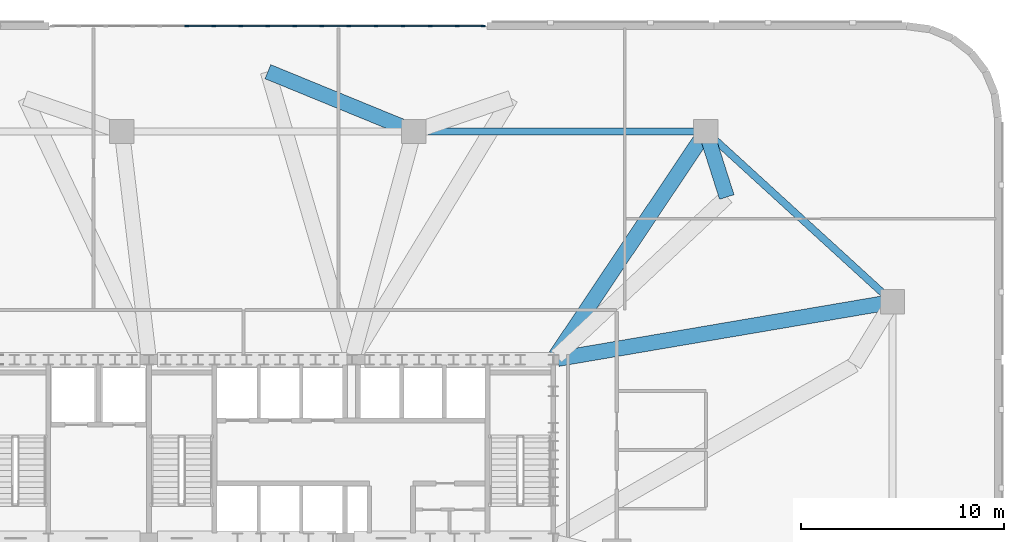
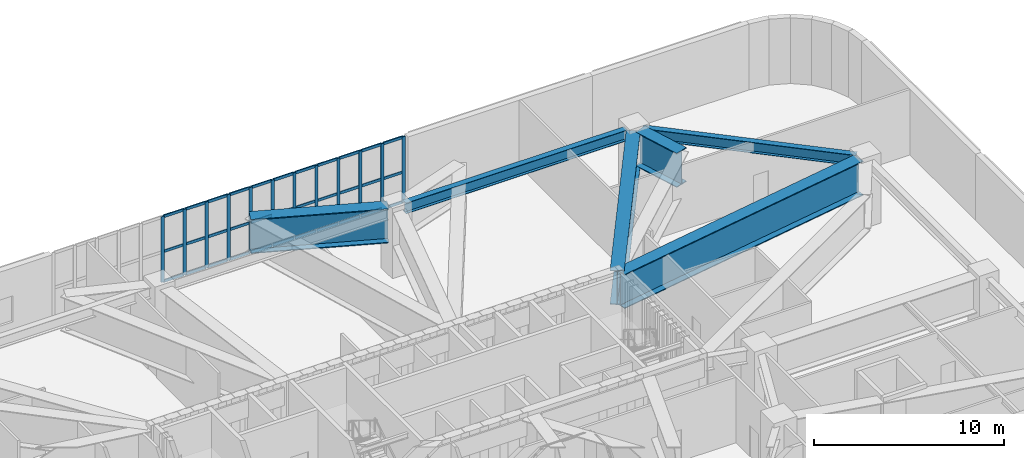
# One storey, part 11 of 26: 45 members, 6 beams, 1 element without a shape of its own.
"""IFC4 building model written with IfcOpenShell, lengths in metres."""

import ifcopenshell
import ifcopenshell.guid

model = None  # the IFC model being written
_history = None  # IfcOwnerHistory: only IFC2X3 demands one
_inside = {}  # id of a spatial element -> (the spatial element, [elements in it])
_under = {}  # id of a project, library or spatial element -> (it, [spatial elements below it])
_declared = {}  # id of a project -> (the project, [libraries it declares])
_typed = {}  # id of a type object -> (the type object, [elements of that type])
_made_of = {}  # id of a material, layer set ... -> (it, [elements and type objects made of it])


def new_model(schema):
    """Start an empty IFC model of exactly this schema.

    Asked for "IFC4X3", IfcOpenShell would pick the latest addendum, in which some entities
    have other attributes; the version numbers below select the first issue.
    IFC2X3 requires an IfcOwnerHistory on every rooted entity: one is made here for all.
    """
    global model, _history
    if schema == "IFC4X3":
        model = ifcopenshell.file(schema_version=(4, 3, 0, 0))
    else:
        model = ifcopenshell.file(schema=schema)
    _inside.clear()
    _under.clear()
    _declared.clear()
    _typed.clear()
    _made_of.clear()
    _history = None
    if model.schema == "IFC2X3":
        org = make("IfcOrganization", Name="unknown")
        user = make(
            "IfcPersonAndOrganization",
            ThePerson=make("IfcPerson", FamilyName="unknown"),
            TheOrganization=org,
        )
        app = make(
            "IfcApplication",
            ApplicationDeveloper=org,
            Version="unknown",
            ApplicationFullName="unknown",
            ApplicationIdentifier="unknown",
        )
        _history = make(
            "IfcOwnerHistory",
            OwningUser=user,
            OwningApplication=app,
            ChangeAction="ADDED",
            CreationDate=0,
        )
    return model


def make(cls, **values):
    """One entity of the class cls with the attributes given. An attribute that is None is left unset."""
    return model.create_entity(
        cls, **{name: value for name, value in values.items() if value is not None}
    )


def rooted(cls, **values):
    """An entity with a GlobalId (a new one), such as an element, a storey or a relation."""
    return make(cls, GlobalId=ifcopenshell.guid.new(), OwnerHistory=_history, **values)


def si_unit(unit_type, name, prefix=None):
    """IfcSIUnit, for example si_unit("LENGTHUNIT", "METRE", prefix="MILLI")."""
    return make("IfcSIUnit", UnitType=unit_type, Prefix=prefix, Name=name)


def assignment(units):
    """IfcUnitAssignment: the units of a project."""
    return None if units is None else make("IfcUnitAssignment", Units=units)


def point(xyz):
    """IfcCartesianPoint."""
    return None if xyz is None else make("IfcCartesianPoint", Coordinates=xyz)


def direction(xyz):
    """IfcDirection."""
    return None if xyz is None else make("IfcDirection", DirectionRatios=xyz)


def frame(location, z_axis=None, x_axis=None):
    """IfcAxis2Placement3D, a coordinate frame: its origin and axes. An axis left out is left unset."""
    return make(
        "IfcAxis2Placement3D",
        Location=point(location),
        Axis=direction(z_axis),
        RefDirection=direction(x_axis),
    )


def frame_2d(location, x_axis=None):
    """IfcAxis2Placement2D, a coordinate frame in the plane: its origin and x axis."""
    return make(
        "IfcAxis2Placement2D", Location=point(location), RefDirection=direction(x_axis)
    )


def origin():
    """The frame at (0, 0, 0) with its axes left unset."""
    return frame((0.0, 0.0, 0.0))


def origin_2d():
    """The frame at (0, 0) in the plane with its x axis left unset."""
    return frame_2d((0.0, 0.0))


def place(relative_to, where):
    """IfcLocalPlacement: puts the frame where relative to a parent placement (None: the world)."""
    return make(
        "IfcLocalPlacement", PlacementRelTo=relative_to, RelativePlacement=where
    )


def context(
    kind, dimensions, precision=None, world=None, true_north=None, identifier=None
):
    """IfcGeometricRepresentationContext, for example the 3D "Model" context."""
    return make(
        "IfcGeometricRepresentationContext",
        ContextIdentifier=identifier,
        ContextType=kind,
        CoordinateSpaceDimension=dimensions,
        Precision=precision,
        WorldCoordinateSystem=world,
        TrueNorth=true_north,
    )


def subcontext(parent, identifier, kind, view, scale=None):
    """IfcGeometricRepresentationSubContext, for example "Body" below "Model"."""
    return make(
        "IfcGeometricRepresentationSubContext",
        ContextIdentifier=identifier,
        ContextType=kind,
        ParentContext=parent,
        TargetScale=scale,
        TargetView=view,
    )


def project(units=None, contexts=None):
    """IfcProject with its units and contexts."""
    return rooted(
        "IfcProject",
        Name="project",
        RepresentationContexts=contexts,
        UnitsInContext=assignment(units),
    )


def spatial(cls, under=None, at=None, **own):
    """A site, building, storey or space (cls), placed at a placement, below another one or the project."""
    s = rooted(cls, ObjectPlacement=at, **own)
    if under is not None:
        _under.setdefault(under.id(), (under, []))[1].append(s)
    return s


def profile(cls, at=None, kind="AREA", **sizes):
    """A parametric profile (cls). Its sizes go by their IFC names, for example OverallWidth=200.0."""
    return make(cls, ProfileType=kind, Position=at, **sizes)


def rectangle(**sizes):
    """IfcRectangleProfileDef."""
    return profile("IfcRectangleProfileDef", **sizes)


def i_section(**sizes):
    """IfcIShapeProfileDef."""
    return profile("IfcIShapeProfileDef", **sizes)


def extrude(swept, where, along, depth):
    """IfcExtrudedAreaSolid: the profile swept, set in the frame where, extruded along a direction by depth."""
    return make(
        "IfcExtrudedAreaSolid",
        SweptArea=swept,
        Position=where,
        ExtrudedDirection=direction(along),
        Depth=depth,
    )


def shape(context_of_items, identifier, shape_type, items):
    """IfcShapeRepresentation: the items that make up one representation, for example the "Body"."""
    return make(
        "IfcShapeRepresentation",
        ContextOfItems=context_of_items,
        RepresentationIdentifier=identifier,
        RepresentationType=shape_type,
        Items=items,
    )


def material(Name=None, Category=None):
    """IfcMaterial."""
    return make("IfcMaterial", Name=Name, Category=Category)


def material_profile(
    of_material, cross_section, Name=None, Category=None, Priority=None
):
    """IfcMaterialProfile: a cross section and its material."""
    return make(
        "IfcMaterialProfile",
        Name=Name,
        Material=of_material,
        Profile=cross_section,
        Priority=Priority,
        Category=Category,
    )


def profile_set(profiles, Name=None, composite=None):
    """IfcMaterialProfileSet."""
    return make(
        "IfcMaterialProfileSet",
        Name=Name,
        MaterialProfiles=profiles,
        CompositeProfile=composite,
    )


def made_of(thing, what):
    """Note that an element or type object is made of a material, layer set ...; save() writes the relation."""
    if what is not None:
        _made_of.setdefault(what.id(), (what, []))[1].append(thing)
    return thing


def type_object(cls, material=None, **own):
    """A type object (cls), such as IfcWallType, which elements share."""
    return made_of(rooted(cls, **own), material)


def element(
    cls,
    number,
    at=None,
    inside=None,
    cuts=None,
    type_object=None,
    material=None,
    context=None,
    identifier="Body",
    shape_type=None,
    held_by="IfcProductDefinitionShape",
    body=None,
    shapes=None,
    **own,
):
    """One element of the class cls, such as IfcWall. Its Tag is "e" and its number.

    at: its placement. inside: the storey or other place that contains it. cuts: it is an
    opening in that element (IfcRelVoidsElement). A single representation is given by context,
    identifier, shape_type and body (its items); several are given by shapes. held_by: the class
    of the entity that holds the representations. save() writes the other relations.
    """
    e = rooted(cls, Tag="e%d" % number, ObjectPlacement=at, **own)
    if body is not None:
        shapes = [shape(context, identifier, shape_type, body)]
    if shapes is not None:
        e.Representation = make(held_by, Representations=shapes)
    if inside is not None:
        _inside.setdefault(inside.id(), (inside, []))[1].append(e)
    if cuts is not None:
        rooted(
            "IfcRelVoidsElement", RelatingBuildingElement=cuts, RelatedOpeningElement=e
        )
    if type_object is not None:
        _typed.setdefault(type_object.id(), (type_object, []))[1].append(e)
    return made_of(e, material)


def aggregate(whole, parts):
    """IfcRelAggregates: a whole, such as a stair, and the parts it consists of."""
    return rooted("IfcRelAggregates", RelatingObject=whole, RelatedObjects=parts)


def save(model, path):
    """Write the relations noted so far, then the file.

    IfcRelAggregates (storeys below a building ...), IfcRelContainedInSpatialStructure (elements
    in a storey), IfcRelDefinesByType, IfcRelAssociatesMaterial and IfcRelDeclares: one each for
    every whole, place, type object, material and project.
    """
    for whole, parts in _under.values():
        aggregate(whole, parts)
    for where, things in _inside.values():
        rooted(
            "IfcRelContainedInSpatialStructure",
            RelatedElements=things,
            RelatingStructure=where,
        )
    for kind, things in _typed.values():
        rooted("IfcRelDefinesByType", RelatedObjects=things, RelatingType=kind)
    for what, things in _made_of.values():
        rooted("IfcRelAssociatesMaterial", RelatedObjects=things, RelatingMaterial=what)
    for by, libraries in _declared.values():
        rooted("IfcRelDeclares", RelatingContext=by, RelatedDefinitions=libraries)
    model.write(path)


model = new_model("IFC4")

# Units and contexts
model_context = context("Model", 3, precision=1e-05, world=origin(), true_north=direction((0.0, 1.0)))
body_context = subcontext(model_context, "Body", "Model", "MODEL_VIEW")
ifc_project = project(units=[si_unit("LENGTHUNIT", "METRE"), si_unit("AREAUNIT", "SQUARE_METRE"), si_unit("VOLUMEUNIT", "CUBIC_METRE"), si_unit("PLANEANGLEUNIT", "RADIAN"), si_unit("MASSUNIT", "GRAM", prefix="KILO")], contexts=[model_context])

# Site, building, storey
site_placement = place(None, origin())
site = spatial("IfcSite", under=ifc_project, at=site_placement, CompositionType="ELEMENT")
building_placement = place(site_placement, origin())
building = spatial("IfcBuilding", under=site, at=building_placement, Name="Haldorwick Loom Tower", CompositionType="ELEMENT")
storey_placement = place(building_placement, frame((0.0, 0.0, 19.5)))
storey = spatial("IfcBuildingStorey", under=building, at=storey_placement, Name="L04", CompositionType="ELEMENT", Elevation=19.5)

# Curtain wall, members
ifc_material_1 = material(Name="Thermally Broken Anodized Aluminium Curtain Wall Framing", Category="aluminium")
curtain_wall_type = type_object("IfcCurtainWallType", Name="ARC-CW-02", PredefinedType="NOTDEFINED", material=ifc_material_1)
curtain_wall_placement = place(storey_placement, origin())
curtain_wall = element("IfcCurtainWall", 1, at=curtain_wall_placement, inside=storey, type_object=curtain_wall_type, Name="L04 Facade Curtain Wall CW-02 Bay 19", PredefinedType="NOTDEFINED")
ifc_material_profile_1 = material_profile(ifc_material_1, rectangle(XDim=0.070068359375, YDim=0.195068359375, at=origin_2d()), Name="ALU_MUL_70X195", Category="aluminium")
ifc_profile_set_1 = profile_set([ifc_material_profile_1], Name="Thermally Broken Anodized Aluminium Curtain Wall Framing")
member_type_1 = type_object("IfcMemberType", Name="ARC-CWM-02", PredefinedType="MULLION", material=ifc_profile_set_1)
member_1_placement = place(storey_placement, frame((46.625, 52.0, 0.0), z_axis=(0.0, 0.0, 1.0), x_axis=(0.0, -1.0, 0.0)))
member_1 = element("IfcMember", 2, at=member_1_placement, type_object=member_type_1, Name="CW-02 mullion 1", PredefinedType="MULLION", context=body_context, shape_type="SweptSolid", body=[
    extrude(rectangle(XDim=0.070068359375, YDim=0.195068359375, at=origin_2d()), origin(), (0.0, 0.0, 1.0), 4.219970703125),
])
member_2_placement = place(storey_placement, frame((45.327392578125, 52.0, 0.0), z_axis=(0.0, 0.0, 1.0), x_axis=(0.0, -1.0, 0.0)))
member_2 = element("IfcMember", 3, at=member_2_placement, type_object=member_type_1, Name="CW-02 mullion 2", PredefinedType="MULLION", context=body_context, shape_type="SweptSolid", body=[
    extrude(rectangle(XDim=0.070068359375, YDim=0.195068359375, at=origin_2d()), origin(), (0.0, 0.0, 1.0), 4.219970703125),
])
member_3_placement = place(storey_placement, frame((43.9951171875, 52.0, 0.0), z_axis=(0.0, 0.0, 1.0), x_axis=(0.0, -1.0, 0.0)))
member_3 = element("IfcMember", 4, at=member_3_placement, type_object=member_type_1, Name="CW-02 mullion 3", PredefinedType="MULLION", context=body_context, shape_type="SweptSolid", body=[
    extrude(rectangle(XDim=0.070068359375, YDim=0.195068359375, at=origin_2d()), origin(), (0.0, 0.0, 1.0), 4.219970703125),
])
member_4_placement = place(storey_placement, frame((42.66259765625, 52.0, 0.0), z_axis=(0.0, 0.0, 1.0), x_axis=(0.0, -1.0, 0.0)))
member_4 = element("IfcMember", 5, at=member_4_placement, type_object=member_type_1, Name="CW-02 mullion 4", PredefinedType="MULLION", context=body_context, shape_type="SweptSolid", body=[
    extrude(rectangle(XDim=0.070068359375, YDim=0.195068359375, at=origin_2d()), origin(), (0.0, 0.0, 1.0), 4.219970703125),
])
member_5_placement = place(storey_placement, frame((41.330078125, 52.0, 0.0), z_axis=(0.0, 0.0, 1.0), x_axis=(0.0, -1.0, 0.0)))
member_5 = element("IfcMember", 6, at=member_5_placement, type_object=member_type_1, Name="CW-02 mullion 5", PredefinedType="MULLION", context=body_context, shape_type="SweptSolid", body=[
    extrude(rectangle(XDim=0.070068359375, YDim=0.195068359375, at=origin_2d()), origin(), (0.0, 0.0, 1.0), 4.219970703125),
])
member_6_placement = place(storey_placement, frame((39.99755859375, 52.0, 0.0), z_axis=(0.0, 0.0, 1.0), x_axis=(0.0, -1.0, 0.0)))
member_6 = element("IfcMember", 7, at=member_6_placement, type_object=member_type_1, Name="CW-02 mullion 6", PredefinedType="MULLION", context=body_context, shape_type="SweptSolid", body=[
    extrude(rectangle(XDim=0.070068359375, YDim=0.195068359375, at=origin_2d()), origin(), (0.0, 0.0, 1.0), 4.219970703125),
])
member_7_placement = place(storey_placement, frame((38.6650390625, 52.0, 0.0), z_axis=(0.0, 0.0, 1.0), x_axis=(0.0, -1.0, 0.0)))
member_7 = element("IfcMember", 8, at=member_7_placement, type_object=member_type_1, Name="CW-02 mullion 7", PredefinedType="MULLION", context=body_context, shape_type="SweptSolid", body=[
    extrude(rectangle(XDim=0.070068359375, YDim=0.195068359375, at=origin_2d()), origin(), (0.0, 0.0, 1.0), 4.219970703125),
])
member_8_placement = place(storey_placement, frame((37.33251953125, 52.0, 0.0), z_axis=(0.0, 0.0, 1.0), x_axis=(0.0, -1.0, 0.0)))
member_8 = element("IfcMember", 9, at=member_8_placement, type_object=member_type_1, Name="CW-02 mullion 8", PredefinedType="MULLION", context=body_context, shape_type="SweptSolid", body=[
    extrude(rectangle(XDim=0.070068359375, YDim=0.195068359375, at=origin_2d()), origin(), (0.0, 0.0, 1.0), 4.219970703125),
])
member_9_placement = place(storey_placement, frame((36.0, 52.0, 0.0), z_axis=(0.0, 0.0, 1.0), x_axis=(0.0, -1.0, 0.0)))
member_9 = element("IfcMember", 10, at=member_9_placement, type_object=member_type_1, Name="CW-02 mullion 9", PredefinedType="MULLION", context=body_context, shape_type="SweptSolid", body=[
    extrude(rectangle(XDim=0.070068359375, YDim=0.195068359375, at=origin_2d()), origin(), (0.0, 0.0, 1.0), 4.219970703125),
])
member_10_placement = place(storey_placement, frame((34.66748046875, 52.0, 0.0), z_axis=(0.0, 0.0, 1.0), x_axis=(0.0, -1.0, 0.0)))
member_10 = element("IfcMember", 11, at=member_10_placement, type_object=member_type_1, Name="CW-02 mullion 10", PredefinedType="MULLION", context=body_context, shape_type="SweptSolid", body=[
    extrude(rectangle(XDim=0.070068359375, YDim=0.195068359375, at=origin_2d()), origin(), (0.0, 0.0, 1.0), 4.219970703125),
])
member_11_placement = place(storey_placement, frame((33.3349609375, 52.0, 0.0), z_axis=(0.0, 0.0, 1.0), x_axis=(0.0, -1.0, 0.0)))
member_11 = element("IfcMember", 12, at=member_11_placement, type_object=member_type_1, Name="CW-02 mullion 11", PredefinedType="MULLION", context=body_context, shape_type="SweptSolid", body=[
    extrude(rectangle(XDim=0.070068359375, YDim=0.195068359375, at=origin_2d()), origin(), (0.0, 0.0, 1.0), 4.219970703125),
])
member_12_placement = place(storey_placement, frame((32.00244140625, 52.0, 0.0), z_axis=(0.0, 0.0, 1.0), x_axis=(0.0, -1.0, 0.0)))
member_12 = element("IfcMember", 13, at=member_12_placement, type_object=member_type_1, Name="CW-02 mullion 12", PredefinedType="MULLION", context=body_context, shape_type="SweptSolid", body=[
    extrude(rectangle(XDim=0.070068359375, YDim=0.195068359375, at=origin_2d()), origin(), (0.0, 0.0, 1.0), 4.219970703125),
])
ifc_material_profile_2 = material_profile(ifc_material_1, rectangle(XDim=0.070068359375, YDim=0.175048828125, at=origin_2d()), Name="ALU_TRN_70X175", Category="aluminium")
ifc_profile_set_2 = profile_set([ifc_material_profile_2], Name="Thermally Broken Anodized Aluminium Curtain Wall Framing")
member_type_2 = type_object("IfcMemberType", Name="ARC-CWT-02", PredefinedType="USERDEFINED", material=ifc_profile_set_2)
member_13_placement = place(storey_placement, frame((46.590087890625, 52.0, 0.034912109375), z_axis=(-1.0, 0.0, 0.0), x_axis=(0.0, -1.0, 0.0)))
member_13 = element("IfcMember", 14, at=member_13_placement, type_object=member_type_2, Name="CW-02 transom 1.1", ObjectType="TRANSOM", PredefinedType="USERDEFINED", context=body_context, shape_type="SweptSolid", body=[
    extrude(rectangle(XDim=0.070068359375, YDim=0.175048828125, at=origin_2d()), origin(), (0.0, 0.0, 1.0), 1.2275390625),
])
member_14_placement = place(storey_placement, frame((46.590087890625, 52.0, 1.949951171875), z_axis=(-1.0, 0.0, 0.0), x_axis=(0.0, -1.0, 0.0)))
member_14 = element("IfcMember", 15, at=member_14_placement, type_object=member_type_2, Name="CW-02 transom 1.2", ObjectType="TRANSOM", PredefinedType="USERDEFINED", context=body_context, shape_type="SweptSolid", body=[
    extrude(rectangle(XDim=0.070068359375, YDim=0.175048828125, at=origin_2d()), origin(), (0.0, 0.0, 1.0), 1.2275390625),
])
member_15_placement = place(storey_placement, frame((46.590087890625, 52.0, 4.18505859375), z_axis=(-1.0, 0.0, 0.0), x_axis=(0.0, -1.0, 0.0)))
member_15 = element("IfcMember", 16, at=member_15_placement, type_object=member_type_2, Name="CW-02 transom 1.3", ObjectType="TRANSOM", PredefinedType="USERDEFINED", context=body_context, shape_type="SweptSolid", body=[
    extrude(rectangle(XDim=0.070068359375, YDim=0.175048828125, at=origin_2d()), origin(), (0.0, 0.0, 1.0), 1.2275390625),
])
member_16_placement = place(storey_placement, frame((45.29248046875, 52.0, 0.034912109375), z_axis=(-1.0, 0.0, 0.0), x_axis=(0.0, -1.0, 0.0)))
member_16 = element("IfcMember", 17, at=member_16_placement, type_object=member_type_2, Name="CW-02 transom 2.1", ObjectType="TRANSOM", PredefinedType="USERDEFINED", context=body_context, shape_type="SweptSolid", body=[
    extrude(rectangle(XDim=0.070068359375, YDim=0.175048828125, at=origin_2d()), origin(), (0.0, 0.0, 1.0), 1.262451171875),
])
member_17_placement = place(storey_placement, frame((45.29248046875, 52.0, 1.949951171875), z_axis=(-1.0, 0.0, 0.0), x_axis=(0.0, -1.0, 0.0)))
member_17 = element("IfcMember", 18, at=member_17_placement, type_object=member_type_2, Name="CW-02 transom 2.2", ObjectType="TRANSOM", PredefinedType="USERDEFINED", context=body_context, shape_type="SweptSolid", body=[
    extrude(rectangle(XDim=0.070068359375, YDim=0.175048828125, at=origin_2d()), origin(), (0.0, 0.0, 1.0), 1.262451171875),
])
member_18_placement = place(storey_placement, frame((45.29248046875, 52.0, 4.18505859375), z_axis=(-1.0, 0.0, 0.0), x_axis=(0.0, -1.0, 0.0)))
member_18 = element("IfcMember", 19, at=member_18_placement, type_object=member_type_2, Name="CW-02 transom 2.3", ObjectType="TRANSOM", PredefinedType="USERDEFINED", context=body_context, shape_type="SweptSolid", body=[
    extrude(rectangle(XDim=0.070068359375, YDim=0.175048828125, at=origin_2d()), origin(), (0.0, 0.0, 1.0), 1.262451171875),
])
member_19_placement = place(storey_placement, frame((43.9599609375, 52.0, 0.034912109375), z_axis=(-1.0, 0.0, 0.0), x_axis=(0.0, -1.0, 0.0)))
member_19 = element("IfcMember", 20, at=member_19_placement, type_object=member_type_2, Name="CW-02 transom 3.1", ObjectType="TRANSOM", PredefinedType="USERDEFINED", context=body_context, shape_type="SweptSolid", body=[
    extrude(rectangle(XDim=0.070068359375, YDim=0.175048828125, at=origin_2d()), origin(), (0.0, 0.0, 1.0), 1.262451171875),
])
member_20_placement = place(storey_placement, frame((43.9599609375, 52.0, 1.949951171875), z_axis=(-1.0, 0.0, 0.0), x_axis=(0.0, -1.0, 0.0)))
member_20 = element("IfcMember", 21, at=member_20_placement, type_object=member_type_2, Name="CW-02 transom 3.2", ObjectType="TRANSOM", PredefinedType="USERDEFINED", context=body_context, shape_type="SweptSolid", body=[
    extrude(rectangle(XDim=0.070068359375, YDim=0.175048828125, at=origin_2d()), origin(), (0.0, 0.0, 1.0), 1.262451171875),
])
member_21_placement = place(storey_placement, frame((43.9599609375, 52.0, 4.18505859375), z_axis=(-1.0, 0.0, 0.0), x_axis=(0.0, -1.0, 0.0)))
member_21 = element("IfcMember", 22, at=member_21_placement, type_object=member_type_2, Name="CW-02 transom 3.3", ObjectType="TRANSOM", PredefinedType="USERDEFINED", context=body_context, shape_type="SweptSolid", body=[
    extrude(rectangle(XDim=0.070068359375, YDim=0.175048828125, at=origin_2d()), origin(), (0.0, 0.0, 1.0), 1.262451171875),
])
member_22_placement = place(storey_placement, frame((42.62744140625, 52.0, 0.034912109375), z_axis=(-1.0, 0.0, 0.0), x_axis=(0.0, -1.0, 0.0)))
member_22 = element("IfcMember", 23, at=member_22_placement, type_object=member_type_2, Name="CW-02 transom 4.1", ObjectType="TRANSOM", PredefinedType="USERDEFINED", context=body_context, shape_type="SweptSolid", body=[
    extrude(rectangle(XDim=0.070068359375, YDim=0.175048828125, at=origin_2d()), origin(), (0.0, 0.0, 1.0), 1.262451171875),
])
member_23_placement = place(storey_placement, frame((42.62744140625, 52.0, 1.949951171875), z_axis=(-1.0, 0.0, 0.0), x_axis=(0.0, -1.0, 0.0)))
member_23 = element("IfcMember", 24, at=member_23_placement, type_object=member_type_2, Name="CW-02 transom 4.2", ObjectType="TRANSOM", PredefinedType="USERDEFINED", context=body_context, shape_type="SweptSolid", body=[
    extrude(rectangle(XDim=0.070068359375, YDim=0.175048828125, at=origin_2d()), origin(), (0.0, 0.0, 1.0), 1.262451171875),
])
member_24_placement = place(storey_placement, frame((42.62744140625, 52.0, 4.18505859375), z_axis=(-1.0, 0.0, 0.0), x_axis=(0.0, -1.0, 0.0)))
member_24 = element("IfcMember", 25, at=member_24_placement, type_object=member_type_2, Name="CW-02 transom 4.3", ObjectType="TRANSOM", PredefinedType="USERDEFINED", context=body_context, shape_type="SweptSolid", body=[
    extrude(rectangle(XDim=0.070068359375, YDim=0.175048828125, at=origin_2d()), origin(), (0.0, 0.0, 1.0), 1.262451171875),
])
member_25_placement = place(storey_placement, frame((41.294921875, 52.0, 0.034912109375), z_axis=(-1.0, 0.0, 0.0), x_axis=(0.0, -1.0, 0.0)))
member_25 = element("IfcMember", 26, at=member_25_placement, type_object=member_type_2, Name="CW-02 transom 5.1", ObjectType="TRANSOM", PredefinedType="USERDEFINED", context=body_context, shape_type="SweptSolid", body=[
    extrude(rectangle(XDim=0.070068359375, YDim=0.175048828125, at=origin_2d()), origin(), (0.0, 0.0, 1.0), 1.262451171875),
])
member_26_placement = place(storey_placement, frame((41.294921875, 52.0, 1.949951171875), z_axis=(-1.0, 0.0, 0.0), x_axis=(0.0, -1.0, 0.0)))
member_26 = element("IfcMember", 27, at=member_26_placement, type_object=member_type_2, Name="CW-02 transom 5.2", ObjectType="TRANSOM", PredefinedType="USERDEFINED", context=body_context, shape_type="SweptSolid", body=[
    extrude(rectangle(XDim=0.070068359375, YDim=0.175048828125, at=origin_2d()), origin(), (0.0, 0.0, 1.0), 1.262451171875),
])
member_27_placement = place(storey_placement, frame((41.294921875, 52.0, 4.18505859375), z_axis=(-1.0, 0.0, 0.0), x_axis=(0.0, -1.0, 0.0)))
member_27 = element("IfcMember", 28, at=member_27_placement, type_object=member_type_2, Name="CW-02 transom 5.3", ObjectType="TRANSOM", PredefinedType="USERDEFINED", context=body_context, shape_type="SweptSolid", body=[
    extrude(rectangle(XDim=0.070068359375, YDim=0.175048828125, at=origin_2d()), origin(), (0.0, 0.0, 1.0), 1.262451171875),
])
member_28_placement = place(storey_placement, frame((39.96240234375, 52.0, 0.034912109375), z_axis=(-1.0, 0.0, 0.0), x_axis=(0.0, -1.0, 0.0)))
member_28 = element("IfcMember", 29, at=member_28_placement, type_object=member_type_2, Name="CW-02 transom 6.1", ObjectType="TRANSOM", PredefinedType="USERDEFINED", context=body_context, shape_type="SweptSolid", body=[
    extrude(rectangle(XDim=0.070068359375, YDim=0.175048828125, at=origin_2d()), origin(), (0.0, 0.0, 1.0), 1.262451171875),
])
member_29_placement = place(storey_placement, frame((39.96240234375, 52.0, 1.949951171875), z_axis=(-1.0, 0.0, 0.0), x_axis=(0.0, -1.0, 0.0)))
member_29 = element("IfcMember", 30, at=member_29_placement, type_object=member_type_2, Name="CW-02 transom 6.2", ObjectType="TRANSOM", PredefinedType="USERDEFINED", context=body_context, shape_type="SweptSolid", body=[
    extrude(rectangle(XDim=0.070068359375, YDim=0.175048828125, at=origin_2d()), origin(), (0.0, 0.0, 1.0), 1.262451171875),
])
member_30_placement = place(storey_placement, frame((39.96240234375, 52.0, 4.18505859375), z_axis=(-1.0, 0.0, 0.0), x_axis=(0.0, -1.0, 0.0)))
member_30 = element("IfcMember", 31, at=member_30_placement, type_object=member_type_2, Name="CW-02 transom 6.3", ObjectType="TRANSOM", PredefinedType="USERDEFINED", context=body_context, shape_type="SweptSolid", body=[
    extrude(rectangle(XDim=0.070068359375, YDim=0.175048828125, at=origin_2d()), origin(), (0.0, 0.0, 1.0), 1.262451171875),
])
member_31_placement = place(storey_placement, frame((38.6298828125, 52.0, 0.034912109375), z_axis=(-1.0, 0.0, 0.0), x_axis=(0.0, -1.0, 0.0)))
member_31 = element("IfcMember", 32, at=member_31_placement, type_object=member_type_2, Name="CW-02 transom 7.1", ObjectType="TRANSOM", PredefinedType="USERDEFINED", context=body_context, shape_type="SweptSolid", body=[
    extrude(rectangle(XDim=0.070068359375, YDim=0.175048828125, at=origin_2d()), origin(), (0.0, 0.0, 1.0), 1.262451171875),
])
member_32_placement = place(storey_placement, frame((38.6298828125, 52.0, 1.949951171875), z_axis=(-1.0, 0.0, 0.0), x_axis=(0.0, -1.0, 0.0)))
member_32 = element("IfcMember", 33, at=member_32_placement, type_object=member_type_2, Name="CW-02 transom 7.2", ObjectType="TRANSOM", PredefinedType="USERDEFINED", context=body_context, shape_type="SweptSolid", body=[
    extrude(rectangle(XDim=0.070068359375, YDim=0.175048828125, at=origin_2d()), origin(), (0.0, 0.0, 1.0), 1.262451171875),
])
member_33_placement = place(storey_placement, frame((38.6298828125, 52.0, 4.18505859375), z_axis=(-1.0, 0.0, 0.0), x_axis=(0.0, -1.0, 0.0)))
member_33 = element("IfcMember", 34, at=member_33_placement, type_object=member_type_2, Name="CW-02 transom 7.3", ObjectType="TRANSOM", PredefinedType="USERDEFINED", context=body_context, shape_type="SweptSolid", body=[
    extrude(rectangle(XDim=0.070068359375, YDim=0.175048828125, at=origin_2d()), origin(), (0.0, 0.0, 1.0), 1.262451171875),
])
member_34_placement = place(storey_placement, frame((37.297607421875, 52.0, 0.034912109375), z_axis=(-1.0, 0.0, 0.0), x_axis=(0.0, -1.0, 0.0)))
member_34 = element("IfcMember", 35, at=member_34_placement, type_object=member_type_2, Name="CW-02 transom 8.1", ObjectType="TRANSOM", PredefinedType="USERDEFINED", context=body_context, shape_type="SweptSolid", body=[
    extrude(rectangle(XDim=0.070068359375, YDim=0.175048828125, at=origin_2d()), origin(), (0.0, 0.0, 1.0), 1.2626953125),
])
member_35_placement = place(storey_placement, frame((37.297607421875, 52.0, 1.949951171875), z_axis=(-1.0, 0.0, 0.0), x_axis=(0.0, -1.0, 0.0)))
member_35 = element("IfcMember", 36, at=member_35_placement, type_object=member_type_2, Name="CW-02 transom 8.2", ObjectType="TRANSOM", PredefinedType="USERDEFINED", context=body_context, shape_type="SweptSolid", body=[
    extrude(rectangle(XDim=0.070068359375, YDim=0.175048828125, at=origin_2d()), origin(), (0.0, 0.0, 1.0), 1.2626953125),
])
member_36_placement = place(storey_placement, frame((37.297607421875, 52.0, 4.18505859375), z_axis=(-1.0, 0.0, 0.0), x_axis=(0.0, -1.0, 0.0)))
member_36 = element("IfcMember", 37, at=member_36_placement, type_object=member_type_2, Name="CW-02 transom 8.3", ObjectType="TRANSOM", PredefinedType="USERDEFINED", context=body_context, shape_type="SweptSolid", body=[
    extrude(rectangle(XDim=0.070068359375, YDim=0.175048828125, at=origin_2d()), origin(), (0.0, 0.0, 1.0), 1.2626953125),
])
member_37_placement = place(storey_placement, frame((35.965087890625, 52.0, 0.034912109375), z_axis=(-1.0, 0.0, 0.0), x_axis=(0.0, -1.0, 0.0)))
member_37 = element("IfcMember", 38, at=member_37_placement, type_object=member_type_2, Name="CW-02 transom 9.1", ObjectType="TRANSOM", PredefinedType="USERDEFINED", context=body_context, shape_type="SweptSolid", body=[
    extrude(rectangle(XDim=0.070068359375, YDim=0.175048828125, at=origin_2d()), origin(), (0.0, 0.0, 1.0), 1.2626953125),
])
member_38_placement = place(storey_placement, frame((35.965087890625, 52.0, 1.949951171875), z_axis=(-1.0, 0.0, 0.0), x_axis=(0.0, -1.0, 0.0)))
member_38 = element("IfcMember", 39, at=member_38_placement, type_object=member_type_2, Name="CW-02 transom 9.2", ObjectType="TRANSOM", PredefinedType="USERDEFINED", context=body_context, shape_type="SweptSolid", body=[
    extrude(rectangle(XDim=0.070068359375, YDim=0.175048828125, at=origin_2d()), origin(), (0.0, 0.0, 1.0), 1.2626953125),
])
member_39_placement = place(storey_placement, frame((35.965087890625, 52.0, 4.18505859375), z_axis=(-1.0, 0.0, 0.0), x_axis=(0.0, -1.0, 0.0)))
member_39 = element("IfcMember", 40, at=member_39_placement, type_object=member_type_2, Name="CW-02 transom 9.3", ObjectType="TRANSOM", PredefinedType="USERDEFINED", context=body_context, shape_type="SweptSolid", body=[
    extrude(rectangle(XDim=0.070068359375, YDim=0.175048828125, at=origin_2d()), origin(), (0.0, 0.0, 1.0), 1.2626953125),
])
member_40_placement = place(storey_placement, frame((34.632568359375, 52.0, 0.034912109375), z_axis=(-1.0, 0.0, 0.0), x_axis=(0.0, -1.0, 0.0)))
member_40 = element("IfcMember", 41, at=member_40_placement, type_object=member_type_2, Name="CW-02 transom 10.1", ObjectType="TRANSOM", PredefinedType="USERDEFINED", context=body_context, shape_type="SweptSolid", body=[
    extrude(rectangle(XDim=0.070068359375, YDim=0.175048828125, at=origin_2d()), origin(), (0.0, 0.0, 1.0), 1.262451171875),
])
member_41_placement = place(storey_placement, frame((34.632568359375, 52.0, 1.949951171875), z_axis=(-1.0, 0.0, 0.0), x_axis=(0.0, -1.0, 0.0)))
member_41 = element("IfcMember", 42, at=member_41_placement, type_object=member_type_2, Name="CW-02 transom 10.2", ObjectType="TRANSOM", PredefinedType="USERDEFINED", context=body_context, shape_type="SweptSolid", body=[
    extrude(rectangle(XDim=0.070068359375, YDim=0.175048828125, at=origin_2d()), origin(), (0.0, 0.0, 1.0), 1.262451171875),
])
member_42_placement = place(storey_placement, frame((34.632568359375, 52.0, 4.18505859375), z_axis=(-1.0, 0.0, 0.0), x_axis=(0.0, -1.0, 0.0)))
member_42 = element("IfcMember", 43, at=member_42_placement, type_object=member_type_2, Name="CW-02 transom 10.3", ObjectType="TRANSOM", PredefinedType="USERDEFINED", context=body_context, shape_type="SweptSolid", body=[
    extrude(rectangle(XDim=0.070068359375, YDim=0.175048828125, at=origin_2d()), origin(), (0.0, 0.0, 1.0), 1.262451171875),
])
member_43_placement = place(storey_placement, frame((33.300048828125, 52.0, 0.034912109375), z_axis=(-1.0, 0.0, 0.0), x_axis=(0.0, -1.0, 0.0)))
member_43 = element("IfcMember", 44, at=member_43_placement, type_object=member_type_2, Name="CW-02 transom 11.1", ObjectType="TRANSOM", PredefinedType="USERDEFINED", context=body_context, shape_type="SweptSolid", body=[
    extrude(rectangle(XDim=0.070068359375, YDim=0.175048828125, at=origin_2d()), origin(), (0.0, 0.0, 1.0), 1.262451171875),
])
member_44_placement = place(storey_placement, frame((33.300048828125, 52.0, 1.949951171875), z_axis=(-1.0, 0.0, 0.0), x_axis=(0.0, -1.0, 0.0)))
member_44 = element("IfcMember", 45, at=member_44_placement, type_object=member_type_2, Name="CW-02 transom 11.2", ObjectType="TRANSOM", PredefinedType="USERDEFINED", context=body_context, shape_type="SweptSolid", body=[
    extrude(rectangle(XDim=0.070068359375, YDim=0.175048828125, at=origin_2d()), origin(), (0.0, 0.0, 1.0), 1.262451171875),
])
member_45_placement = place(storey_placement, frame((33.300048828125, 52.0, 4.18505859375), z_axis=(-1.0, 0.0, 0.0), x_axis=(0.0, -1.0, 0.0)))
member_45 = element("IfcMember", 46, at=member_45_placement, type_object=member_type_2, Name="CW-02 transom 11.3", ObjectType="TRANSOM", PredefinedType="USERDEFINED", context=body_context, shape_type="SweptSolid", body=[
    extrude(rectangle(XDim=0.070068359375, YDim=0.175048828125, at=origin_2d()), origin(), (0.0, 0.0, 1.0), 1.262451171875),
])
aggregate(curtain_wall, [member_1, member_2, member_3, member_4, member_5, member_6, member_7, member_8, member_9, member_10, member_11, member_12, member_13, member_14, member_15, member_16, member_17, member_18, member_19, member_20, member_21, member_22, member_23, member_24, member_25, member_26, member_27, member_28, member_29, member_30, member_31, member_32, member_33, member_34, member_35, member_36, member_37, member_38, member_39, member_40, member_41, member_42, member_43, member_44, member_45])

# Beams
ifc_material_2 = material(Name="Steel CSA G40.21 350W", Category="steel")
ifc_material_profile_3 = material_profile(ifc_material_2, i_section(OverallWidth=0.35498046875, OverallDepth=0.695068359375, WebThickness=0.015380859375, FlangeThickness=0.02490234375, at=origin_2d()), Name="W690X217", Category="steel")
ifc_profile_set_3 = profile_set([ifc_material_profile_3], Name="Steel CSA G40.21 350W")
beam_type_1 = type_object("IfcBeamType", Name="STR-BM-SP690", PredefinedType="SPANDREL", material=ifc_profile_set_3)
beam_1_placement = place(storey_placement, frame((66.445556640625, 38.7236328125, 3.87255859375), z_axis=(-0.738482735745, 0.674272384876, 0.0), x_axis=(-0.674272384876, -0.738482735745, 0.0)))
element("IfcBeam", 47, at=beam_1_placement, inside=storey, type_object=beam_type_1, Name="L04 Podium Spandrel PSP-E3", PredefinedType="SPANDREL", context=body_context, shape_type="SweptSolid", body=[
    extrude(i_section(OverallWidth=0.35498046875, OverallDepth=0.695068359375, WebThickness=0.015380859375, FlangeThickness=0.02490234375, at=origin_2d()), origin(), (0.0, 0.0, 1.0), 11.497802734375),
])
beam_2_placement = place(storey_placement, frame((57.1201171875, 46.800048828125, 3.87255859375), z_axis=(-1.0, 0.0, 0.0), x_axis=(0.0, -1.0, 0.0)))
element("IfcBeam", 48, at=beam_2_placement, inside=storey, type_object=beam_type_1, Name="L04 Podium Spandrel PSP-N1", PredefinedType="SPANDREL", context=body_context, shape_type="SweptSolid", body=[
    extrude(i_section(OverallWidth=0.35498046875, OverallDepth=0.695068359375, WebThickness=0.015380859375, FlangeThickness=0.02490234375, at=origin_2d()), origin(), (0.0, 0.0, 1.0), 13.440185546875),
])
ifc_material_3 = material(Name="Steel CSA G40.21 350WT", Category="steel")
ifc_material_profile_4 = material_profile(ifc_material_3, i_section(OverallWidth=0.75, OverallDepth=2.199951171875, WebThickness=0.030029296875, FlangeThickness=0.054931640625, at=origin_2d()), Name="WWF2200X750", Category="steel")
ifc_profile_set_4 = profile_set([ifc_material_profile_4], Name="Steel CSA G40.21 350WT")
beam_type_2 = type_object("IfcBeamType", Name="STR-BM-TG2200", PredefinedType="BEAM", material=ifc_profile_set_4)
beam_3_placement = place(storey_placement, frame((50.291748046875, 35.587890625, 3.1201171875), z_axis=(0.985799279017, 0.167927905632, 0.0), x_axis=(-0.167927905632, 0.985799279017, 0.0)))
element("IfcBeam", 49, at=beam_3_placement, inside=storey, type_object=beam_type_2, Name="L04 Podium Primary Girder PG-11", PredefinedType="BEAM", context=body_context, shape_type="SweptSolid", body=[
    extrude(i_section(OverallWidth=0.75, OverallDepth=2.199951171875, WebThickness=0.030029296875, FlangeThickness=0.054931640625, at=origin_2d()), origin(), (0.0, 0.0, 1.0), 16.296142578125),
])
beam_4_placement = place(storey_placement, frame((57.349609375, 46.426025390625, 3.1201171875), z_axis=(-0.556223597649, -0.831032676504, 0.0), x_axis=(0.831032676504, -0.556223597649, 0.0)))
element("IfcBeam", 50, at=beam_4_placement, inside=storey, type_object=beam_type_2, Name="L04 Podium Primary Girder PG-15", PredefinedType="BEAM", context=body_context, shape_type="SweptSolid", body=[
    extrude(i_section(OverallWidth=0.75, OverallDepth=2.199951171875, WebThickness=0.030029296875, FlangeThickness=0.054931640625, at=origin_2d()), origin(), (0.0, 0.0, 1.0), 12.8623046875),
])
beam_5_placement = place(storey_placement, frame((58.630126953125, 43.571533203125, 3.1201171875), z_axis=(-0.303964778978, 0.952683270107, 0.0), x_axis=(-0.952683270107, -0.303964778978, 0.0)))
element("IfcBeam", 51, at=beam_5_placement, inside=storey, type_object=beam_type_2, Name="L04 Radial Transfer Girder 3 Outer", PredefinedType="BEAM", context=body_context, shape_type="SweptSolid", body=[
    extrude(i_section(OverallWidth=0.75, OverallDepth=2.199951171875, WebThickness=0.030029296875, FlangeThickness=0.054931640625, at=origin_2d()), origin(), (0.0, 0.0, 1.0), 2.93896484375),
])
beam_6_placement = place(storey_placement, frame((36.0, 49.75, 3.1201171875), z_axis=(0.925348427654, -0.379117775154, 0.0), x_axis=(0.379117775154, 0.925348427654, 0.0)))
element("IfcBeam", 52, at=beam_6_placement, inside=storey, type_object=beam_type_2, Name="L04 Radial Transfer Girder 5 Outer", PredefinedType="BEAM", context=body_context, shape_type="SweptSolid", body=[
    extrude(i_section(OverallWidth=0.75, OverallDepth=2.199951171875, WebThickness=0.030029296875, FlangeThickness=0.054931640625, at=origin_2d()), origin(), (0.0, 0.0, 1.0), 7.3310546875),
])

save(model, "model.ifc")
